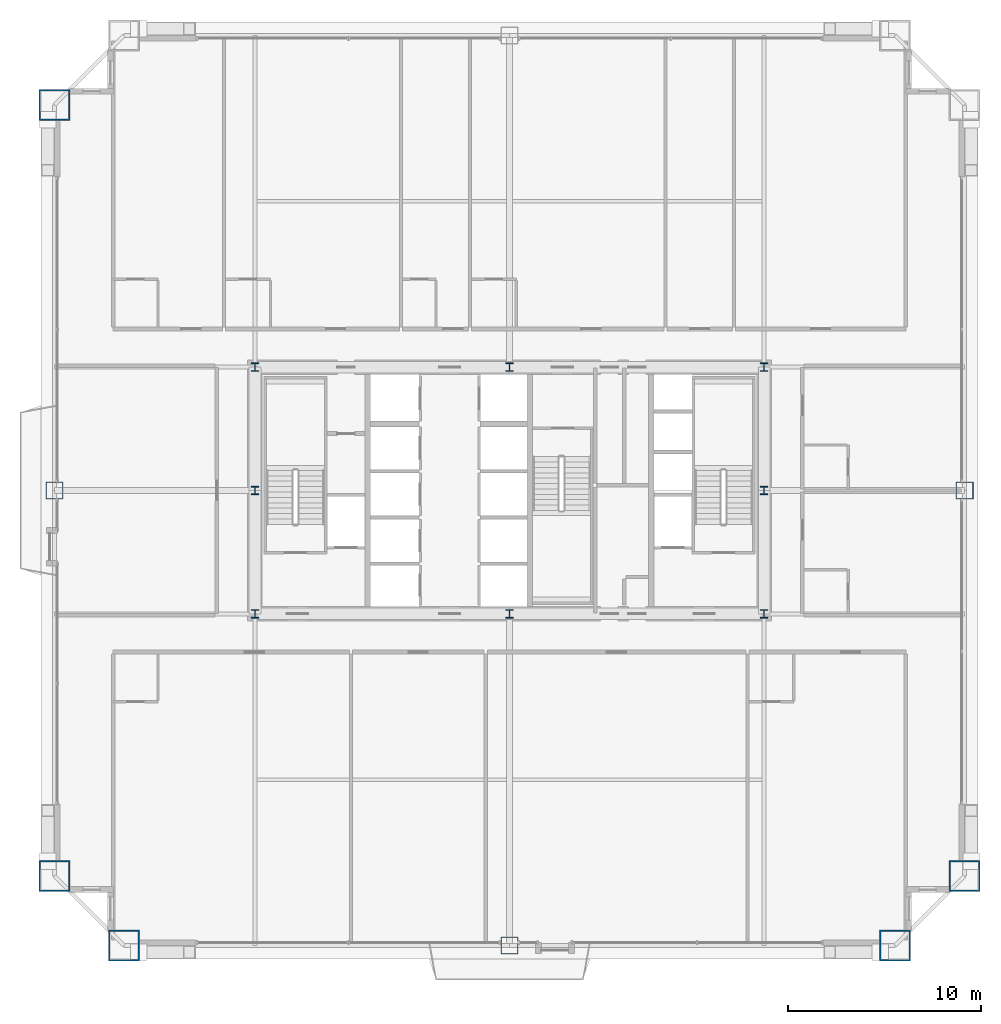
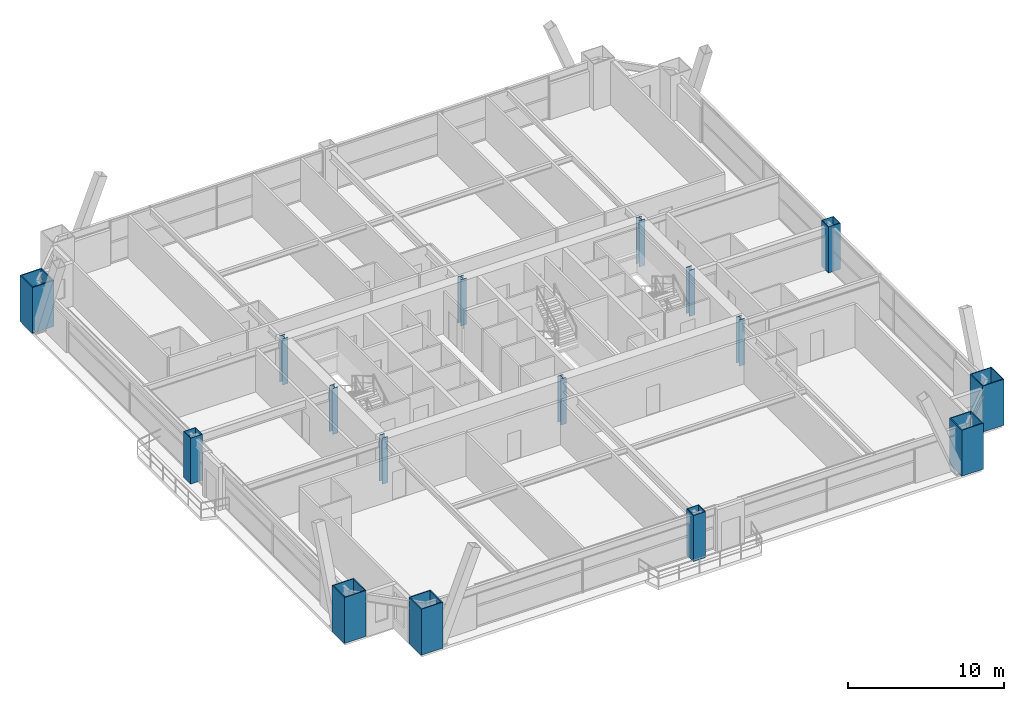
# One storey, part 1 of 41: 16 columns.
"""IFC4 building model written with IfcOpenShell, lengths in metres."""

from ifc_helpers import new_model, si_unit, direction, frame, origin, origin_2d, place, context, subcontext, project, spatial, hollow_rectangle, i_section, extrude, source, transform, mapped, material, material_profile, profile_set, type_object, element, save


model = new_model("IFC4")

# Units and contexts
model_context = context("Model", 3, precision=1e-05, world=origin(), true_north=direction((0.0, 1.0)))
body_context = subcontext(model_context, "Body", "Model", "MODEL_VIEW")
ifc_project = project(units=[si_unit("LENGTHUNIT", "METRE"), si_unit("AREAUNIT", "SQUARE_METRE"), si_unit("VOLUMEUNIT", "CUBIC_METRE"), si_unit("PLANEANGLEUNIT", "RADIAN"), si_unit("MASSUNIT", "GRAM", prefix="KILO"), si_unit("THERMODYNAMICTEMPERATUREUNIT", "KELVIN"), si_unit("POWERUNIT", "WATT")], contexts=[model_context])

# Site, building, storey
site_placement = place(None, origin())
site = spatial("IfcSite", under=ifc_project, at=site_placement, CompositionType="ELEMENT")
building_placement = place(site_placement, origin())
building = spatial("IfcBuilding", under=site, at=building_placement, Name="Yuzanri Waterfront Tower", CompositionType="ELEMENT")
storey_placement = place(building_placement, frame((0.0, 0.0, 115.39990234375)))
storey = spatial("IfcBuildingStorey", under=building, at=storey_placement, Name="L30", CompositionType="ELEMENT", Elevation=115.39990234375)

# Columns
ifc_material_1 = material(Name="Steel Q355B", Category="steel")
ifc_material_profile_1 = material_profile(ifc_material_1, i_section(OverallWidth=0.406982421875, OverallDepth=0.427978515625, WebThickness=0.02001953125, FlangeThickness=0.034912109375, at=origin_2d()), Name="HW 428x407x20x35")
ifc_profile_set_1 = profile_set([ifc_material_profile_1], Name="Steel Q355B")
column_type_1 = type_object("IfcColumnType", Name="Core Post Q355B HW 428x407x20x35", PredefinedType="COLUMN", material=ifc_profile_set_1)
shared_shape_1 = source(origin(), body_context, "Body", "SweptSolid", [
    extrude(i_section(OverallWidth=0.406982421875, OverallDepth=0.427978515625, WebThickness=0.02001953125, FlangeThickness=0.034912109375, at=origin_2d()), origin(), (0.0, 0.0, 1.0), 3.60009765625),
])
for number, where, z_axis, x_axis, name in (
    (1, (23.800048828125, 19.39990234375, 0.0), (0.0, 0.0, 1.0), (1.0, 0.0, 0.0), "L30 Core Boundary Column CP1"),
    (2, (37.0, 19.39990234375, 0.0), (0.0, 0.0, 1.0), (1.0, 0.0, 0.0), "L30 Core Boundary Column CP2"),
    (3, (50.199951171875, 19.39990234375, 0.0), (0.0, 0.0, 1.0), (1.0, 0.0, 0.0), "L30 Core Boundary Column CP3"),
    (4, (23.800048828125, 25.800048828125, 0.0), (0.0, 0.0, 1.0), (1.0, 0.0, 0.0), "L30 Core Boundary Column CP4"),
    (5, (50.199951171875, 25.800048828125, 0.0), (0.0, 0.0, 1.0), (1.0, 0.0, 0.0), "L30 Core Boundary Column CP5"),
    (6, (23.800048828125, 32.199951171875, 0.0), (0.0, 0.0, 1.0), (1.0, 0.0, 0.0), "L30 Core Boundary Column CP6"),
    (7, (37.0, 32.199951171875, 0.0), (0.0, 0.0, 1.0), (1.0, 0.0, 0.0), "L30 Core Boundary Column CP7"),
    (8, (50.199951171875, 32.199951171875, 0.0), (0.0, 0.0, 1.0), (1.0, 0.0, 0.0), "L30 Core Boundary Column CP8"),
):
    element("IfcColumn", number, at=place(storey_placement, frame(where, z_axis=z_axis, x_axis=x_axis)), inside=storey, type_object=column_type_1, Name=name, PredefinedType="COLUMN", context=body_context, shape_type="MappedRepresentation", body=[
        mapped(shared_shape_1, transform((0.0, 0.0, 0.0), scale=1.0)),
    ])
ifc_material_2 = material(Name="Steel Q390GJC", Category="steel")
ifc_material_profile_2 = material_profile(ifc_material_2, hollow_rectangle(XDim=0.89990234375, YDim=0.89990234375, WallThickness=0.0419921875, at=origin_2d()), Name="RHS 900x900x42")
ifc_profile_set_2 = profile_set([ifc_material_profile_2], Name="Steel Q390GJC")
column_type_2 = type_object("IfcColumnType", Name="Frame Column Q390GJC RHS 900x900x42", PredefinedType="COLUMN", material=ifc_profile_set_2)
shared_shape_2 = source(origin(), body_context, "Body", "SweptSolid", [
    extrude(hollow_rectangle(XDim=0.89990234375, YDim=0.89990234375, WallThickness=0.0419921875, at=origin_2d()), origin(), (0.0, 0.0, 1.0), 3.60009765625),
])
for number, where, z_axis, x_axis, name in (
    (9, (37.0, 2.199951171875, 0.0), (0.0, 0.0, 1.0), (1.0, 0.0, 0.0), "L30 Perimeter Frame Column S2"),
    (10, (13.39990234375, 25.800048828125, 0.0), (0.0, 0.0, 1.0), (1.0, 0.0, 0.0), "L30 Perimeter Frame Column W2"),
    (11, (60.60009765625, 25.800048828125, 0.0), (0.0, 0.0, 1.0), (1.0, 0.0, 0.0), "L30 Perimeter Frame Column E2"),
):
    element("IfcColumn", number, at=place(storey_placement, frame(where, z_axis=z_axis, x_axis=x_axis)), inside=storey, type_object=column_type_2, Name=name, PredefinedType="COLUMN", context=body_context, shape_type="MappedRepresentation", body=[
        mapped(shared_shape_2, transform((0.0, 0.0, 0.0), scale=1.0)),
    ])
ifc_material_3 = material(Name="Steel Q420GJC", Category="steel")
ifc_material_profile_3 = material_profile(ifc_material_3, hollow_rectangle(XDim=1.60009765625, YDim=1.60009765625, WallThickness=0.070068359375, at=origin_2d()), Name="RHS 1600x1600x70")
ifc_profile_set_3 = profile_set([ifc_material_profile_3], Name="Steel Q420GJC")
column_type_3 = type_object("IfcColumnType", Name="Mega Column Q420GJC RHS 1600x1600x70", PredefinedType="COLUMN", material=ifc_profile_set_3)
shared_shape_3 = source(origin(), body_context, "Body", "SweptSolid", [
    extrude(hollow_rectangle(XDim=1.60009765625, YDim=1.60009765625, WallThickness=0.070068359375, at=origin_2d()), origin(), (0.0, 0.0, 1.0), 3.60009765625),
])
for number, where, z_axis, x_axis, name in (
    (12, (17.0, 2.199951171875, 0.0), (0.0, 0.0, 1.0), (1.0, 0.0, 0.0), "L30 Perimeter Mega Column S1"),
    (13, (57.0, 2.199951171875, 0.0), (0.0, 0.0, 1.0), (1.0, 0.0, 0.0), "L30 Perimeter Mega Column S3"),
    (14, (13.39990234375, 5.800048828125, 0.0), (0.0, 0.0, 1.0), (1.0, 0.0, 0.0), "L30 Perimeter Mega Column W1"),
    (15, (13.39990234375, 45.800048828125, 0.0), (0.0, 0.0, 1.0), (1.0, 0.0, 0.0), "L30 Perimeter Mega Column W3"),
    (16, (60.60009765625, 5.800048828125, 0.0), (0.0, 0.0, 1.0), (1.0, 0.0, 0.0), "L30 Perimeter Mega Column E1"),
):
    element("IfcColumn", number, at=place(storey_placement, frame(where, z_axis=z_axis, x_axis=x_axis)), inside=storey, type_object=column_type_3, Name=name, PredefinedType="COLUMN", context=body_context, shape_type="MappedRepresentation", body=[
        mapped(shared_shape_3, transform((0.0, 0.0, 0.0), scale=1.0)),
    ])

save(model, "model.ifc")
